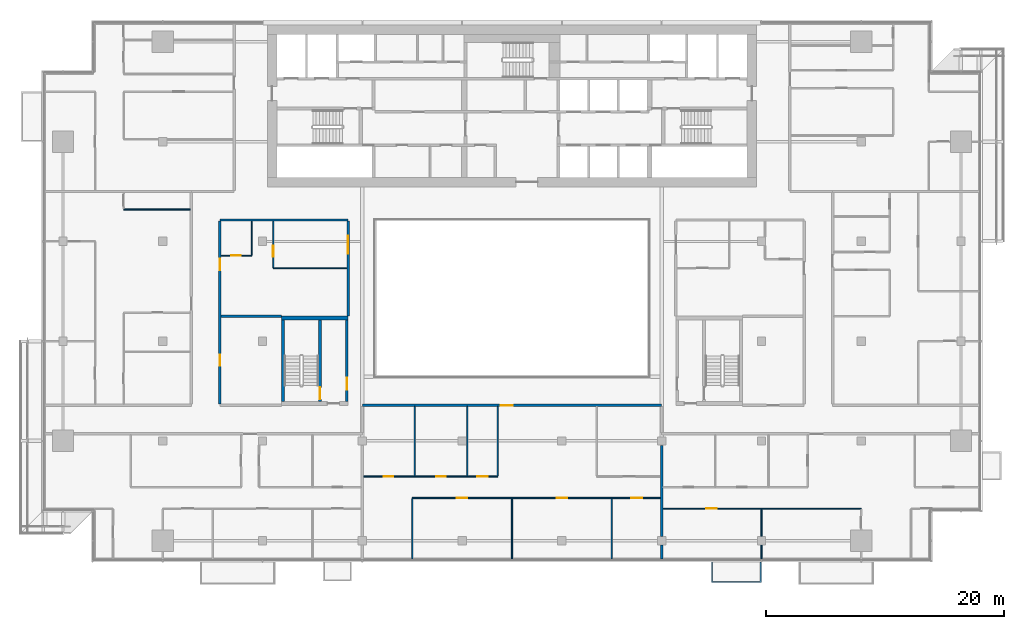
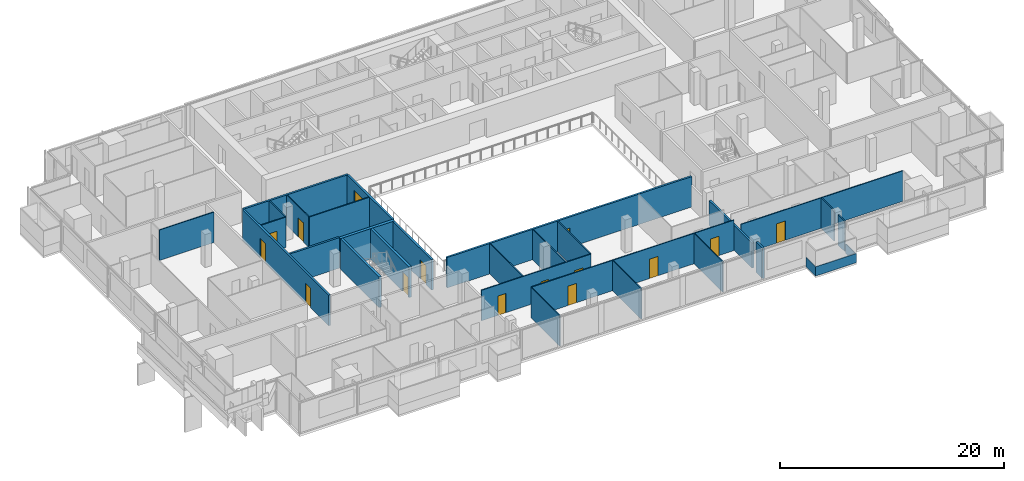
# One storey, part 19 of 30: 28 walls, 14 doors, 1 window, 15 openings.
"""IFC4 building model written with IfcOpenShell, lengths in metres."""

from ifc_helpers import new_model, si_unit, direction, frame, frame_2d, origin, place, context, subcontext, project, spatial, polyline, rectangle, outline, extrude, material, layer, layer_set, type_object, element, fill, save


model = new_model("IFC4")

# Units and contexts
model_context = context("Model", 3, precision=1e-05, world=origin(), true_north=direction((0.0, 1.0)))
body_context = subcontext(model_context, "Body", "Model", "MODEL_VIEW")
ifc_project = project(units=[si_unit("LENGTHUNIT", "METRE"), si_unit("AREAUNIT", "SQUARE_METRE"), si_unit("VOLUMEUNIT", "CUBIC_METRE"), si_unit("PLANEANGLEUNIT", "RADIAN"), si_unit("MASSUNIT", "GRAM", prefix="KILO")], contexts=[model_context])

# Site, building, storey
site_placement = place(None, origin())
site = spatial("IfcSite", under=ifc_project, at=site_placement, CompositionType="ELEMENT")
building_placement = place(site_placement, origin())
building = spatial("IfcBuilding", under=site, at=building_placement, Name="Saffron Gate Tower", CompositionType="ELEMENT")
storey_placement = place(building_placement, frame((0.0, 0.0, 165.449951171875)))
storey = spatial("IfcBuildingStorey", under=building, at=storey_placement, Name="L40", CompositionType="ELEMENT", Elevation=165.449951171875)

# Wall, opening, door
ifc_material_1 = material(Name="Gypsum board partition on steel studs", Category="steel")
ifc_layer_1 = layer(ifc_material_1, 0.199951171875)
ifc_layer_set_1 = layer_set([ifc_layer_1], Name="CW10 Core partition 200")
wall_type_1 = type_object("IfcWallType", Name="CW10 Core partition 200", PredefinedType="PARTITIONING", material=ifc_layer_set_1)
wall_1_placement = place(storey_placement, frame((73.699951171875, 43.5, 0.0), z_axis=(0.0, 0.0, 1.0), x_axis=(0.0, 1.0, 0.0)))
wall_1 = element("IfcWall", 1, at=wall_1_placement, inside=storey, type_object=wall_type_1, Name="Wall CW10-L40-D-4", PredefinedType="PARTITIONING", context=body_context, shape_type="SweptSolid", body=[
    extrude(rectangle(XDim=6.89990234375, YDim=0.199951171875, at=frame_2d((3.449951171875, 0.0))), origin(), (0.0, 0.0, 1.0), 3.320068359375),
])
opening_1_placement = place(wall_1_placement, frame((1.0, 0.0, 0.0)))
opening_1 = element("IfcOpeningElement", 2, at=opening_1_placement, cuts=wall_1, Name="Opening CR-19", PredefinedType="OPENING", context=body_context, shape_type="SweptSolid", body=[
    extrude(rectangle(XDim=1.0, YDim=2.10009765625, at=frame_2d((0.5, 1.050048828125))), frame((0.0, 0.10986328125, 0.0), z_axis=(0.0, -1.0, 0.0), x_axis=(1.0, 0.0, 0.0)), (0.0, 0.0, 1.0), 0.219970703125),
])
ifc_material_2 = material(Name="Steel fire door set", Category="steel")
door_type_1 = type_object("IfcDoorType", Name="CD4 Lobby door 1000x2100 EI 120", OperationType="NOTDEFINED", PredefinedType="DOOR", material=ifc_material_2)
door_1_placement = place(opening_1_placement, origin())
door_1 = element("IfcDoor", 3, at=door_1_placement, inside=storey, type_object=door_type_1, Name="DOOR CR-19", OperationType="SINGLE_SWING_RIGHT", OverallHeight=2.10009765625, OverallWidth=1.0, PredefinedType="DOOR", context=body_context, shape_type="SweptSolid", body=[
    extrude(rectangle(XDim=1.0, YDim=2.10009765625, at=frame_2d((0.5, 1.050048828125))), frame((0.0, 0.02490234375, 0.0), z_axis=(0.0, -1.0, 0.0), x_axis=(1.0, 0.0, 0.0)), (0.0, 0.0, 1.0), 0.050048828125),
])
fill(opening_1, door_1)

# Wall
ifc_material_3 = material(Name="Concrete C60", Category="concrete")
ifc_layer_2 = layer(ifc_material_3, 0.25)
ifc_layer_set_2 = layer_set([ifc_layer_2], Name="CW14 RC core wall 250 C60")
wall_type_2 = type_object("IfcWallType", Name="CW14 RC core wall 250 C60", PredefinedType="SOLIDWALL", material=ifc_layer_set_2)
wall_2_placement = place(storey_placement, frame((68.324951171875, 43.5, 0.0), z_axis=(0.0, 0.0, 1.0), x_axis=(0.0, 1.0, 0.0)))
element("IfcWall", 4, at=wall_2_placement, inside=storey, type_object=wall_type_2, Name="Wall CW14-L40-D-2", PredefinedType="SOLIDWALL", context=body_context, shape_type="SweptSolid", body=[
    extrude(rectangle(XDim=6.89990234375, YDim=0.25, at=frame_2d((3.449951171875, 0.0))), origin(), (0.0, 0.0, 1.0), 3.320068359375),
])

# Wall, opening, door
wall_3_placement = place(storey_placement, frame((71.425048828125, 43.5, 0.0), z_axis=(0.0, 0.0, 1.0), x_axis=(0.0, 1.0, 0.0)))
wall_3 = element("IfcWall", 5, at=wall_3_placement, inside=storey, type_object=wall_type_2, Name="Wall CW14-L40-D-3", PredefinedType="SOLIDWALL", context=body_context, shape_type="SweptSolid", body=[
    extrude(rectangle(XDim=6.89990234375, YDim=0.25, at=frame_2d((3.449951171875, 0.0))), origin(), (0.0, 0.0, 1.0), 3.320068359375),
])
opening_2_placement = place(wall_3_placement, frame((0.199951171875, 0.0, 0.0)))
opening_2 = element("IfcOpeningElement", 6, at=opening_2_placement, cuts=wall_3, Name="Opening CR-20", PredefinedType="OPENING", context=body_context, shape_type="SweptSolid", body=[
    extrude(rectangle(XDim=1.0, YDim=2.10009765625, at=frame_2d((0.5, 1.050048828125))), frame((0.0, 0.135009765625, 0.0), z_axis=(0.0, -1.0, 0.0), x_axis=(1.0, 0.0, 0.0)), (0.0, 0.0, 1.0), 0.27001953125),
])
door_type_2 = type_object("IfcDoorType", Name="CD5 Stair door 1000x2100 EI 120", OperationType="NOTDEFINED", PredefinedType="DOOR", material=ifc_material_2)
door_2_placement = place(opening_2_placement, origin())
door_2 = element("IfcDoor", 7, at=door_2_placement, inside=storey, type_object=door_type_2, Name="DOOR CR-20", OperationType="SINGLE_SWING_LEFT", OverallHeight=2.10009765625, OverallWidth=1.0, PredefinedType="DOOR", context=body_context, shape_type="SweptSolid", body=[
    extrude(rectangle(XDim=1.0, YDim=2.10009765625, at=frame_2d((0.5, 1.050048828125))), frame((0.0, 0.02490234375, 0.0), z_axis=(0.0, -1.0, 0.0), x_axis=(1.0, 0.0, 0.0)), (0.0, 0.0, 1.0), 0.050048828125),
])
fill(opening_2, door_2)

# Wall
ifc_layer_3 = layer(ifc_material_3, 0.300048828125)
ifc_layer_set_3 = layer_set([ifc_layer_3], Name="CW17 RC core wall 300 C60")
wall_type_3 = type_object("IfcWallType", Name="CW17 RC core wall 300 C60", PredefinedType="SOLIDWALL", material=ifc_layer_set_3)
wall_4_placement = place(storey_placement, frame((68.199951171875, 50.550048828125, 0.0), z_axis=(0.0, 0.0, 1.0), x_axis=(1.0, 0.0, 0.0)))
element("IfcWall", 8, at=wall_4_placement, inside=storey, type_object=wall_type_3, Name="Wall CW17-L40-D-5", PredefinedType="SOLIDWALL", context=body_context, shape_type="SweptSolid", body=[
    extrude(rectangle(XDim=5.60009765625, YDim=0.300048828125, at=frame_2d((2.800048828125, 0.0))), origin(), (0.0, 0.0, 1.0), 3.320068359375),
])

# Wall, opening, door
ifc_material_4 = material(Name="Plasterboard on steel studs", Category="steel")
ifc_layer_4 = layer(ifc_material_4, 0.10009765625)
ifc_layer_set_4 = layer_set([ifc_layer_4], Name="PW1 Partition 100")
wall_type_4 = type_object("IfcWallType", Name="PW1 Partition 100", PredefinedType="PARTITIONING", material=ifc_layer_set_4)
wall_5_placement = place(storey_placement, frame((117.0, 34.5, 0.0), z_axis=(0.0, 0.0, 1.0), x_axis=(-1.0, 0.0, 0.0)))
wall_5 = element("IfcWall", 9, at=wall_5_placement, inside=storey, type_object=wall_type_4, Name="Partition C2-3", PredefinedType="PARTITIONING", context=body_context, shape_type="SweptSolid", body=[
    extrude(rectangle(XDim=16.699951171875, YDim=0.10009765625, at=frame_2d((8.35009765625, 0.0))), origin(), (0.0, 0.0, 1.0), 3.320068359375),
])
opening_3_placement = place(wall_5_placement, frame((12.14990234375, 0.0, 0.0)))
opening_3 = element("IfcOpeningElement", 10, at=opening_3_placement, cuts=wall_5, Name="Opening C2-20", PredefinedType="OPENING", context=body_context, shape_type="SweptSolid", body=[
    extrude(rectangle(XDim=0.89990234375, YDim=2.10009765625, at=frame_2d((0.449951171875, 1.050048828125))), frame((0.0, 0.06005859375, 0.0), z_axis=(0.0, -1.0, 0.0), x_axis=(1.0, 0.0, 0.0)), (0.0, 0.0, 1.0), 0.1201171875),
])
ifc_material_5 = material(Name="Timber door set", Category="wood")
door_type_3 = type_object("IfcDoorType", Name="RD1 Room door 900x2100", OperationType="NOTDEFINED", PredefinedType="DOOR", material=ifc_material_5)
door_3_placement = place(opening_3_placement, origin())
door_3 = element("IfcDoor", 11, at=door_3_placement, inside=storey, type_object=door_type_3, Name="Door C2-20", OperationType="SINGLE_SWING_RIGHT", OverallHeight=2.10009765625, OverallWidth=0.89990234375, PredefinedType="DOOR", context=body_context, shape_type="SweptSolid", body=[
    extrude(rectangle(XDim=0.89990234375, YDim=2.10009765625, at=frame_2d((0.449951171875, 1.050048828125))), frame((0.0, 0.02490234375, 0.0), z_axis=(0.0, -1.0, 0.0), x_axis=(1.0, 0.0, 0.0)), (0.0, 0.0, 1.0), 0.050048828125),
])
fill(opening_3, door_3)

# Wall, openings, doors
wall_6_placement = place(storey_placement, frame((100.10009765625, 35.39990234375, 0.0), z_axis=(0.0, 0.0, 1.0), x_axis=(-1.0, 0.0, 0.0)))
wall_6 = element("IfcWall", 12, at=wall_6_placement, inside=storey, type_object=wall_type_4, Name="Partition C2-5", PredefinedType="PARTITIONING", context=body_context, shape_type="SweptSolid", body=[
    extrude(rectangle(XDim=20.900146484375, YDim=0.10009765625, at=frame_2d((10.4501953125, 0.0))), origin(), (0.0, 0.0, 1.0), 3.320068359375),
])
opening_4_placement = place(wall_6_placement, frame((1.550048828125, 0.0, 0.0)))
opening_4 = element("IfcOpeningElement", 13, at=opening_4_placement, cuts=wall_6, Name="Opening C2-17", PredefinedType="OPENING", context=body_context, shape_type="SweptSolid", body=[
    extrude(rectangle(XDim=0.89990234375, YDim=2.10009765625, at=frame_2d((0.449951171875, 1.050048828125))), frame((0.0, 0.06005859375, 0.0), z_axis=(0.0, -1.0, 0.0), x_axis=(1.0, 0.0, 0.0)), (0.0, 0.0, 1.0), 0.1201171875),
])
opening_5_placement = place(wall_6_placement, frame((7.85009765625, 0.0, 0.0)))
opening_5 = element("IfcOpeningElement", 14, at=opening_5_placement, cuts=wall_6, Name="Opening C2-16", PredefinedType="OPENING", context=body_context, shape_type="SweptSolid", body=[
    extrude(rectangle(XDim=0.89990234375, YDim=2.10009765625, at=frame_2d((0.449951171875, 1.050048828125))), frame((0.0, 0.06005859375, 0.0), z_axis=(0.0, -1.0, 0.0), x_axis=(1.0, 0.0, 0.0)), (0.0, 0.0, 1.0), 0.1201171875),
])
opening_6_placement = place(wall_6_placement, frame((16.25, 0.0, 0.0)))
opening_6 = element("IfcOpeningElement", 15, at=opening_6_placement, cuts=wall_6, Name="Opening C2-15", PredefinedType="OPENING", context=body_context, shape_type="SweptSolid", body=[
    extrude(rectangle(XDim=0.89990234375, YDim=2.10009765625, at=frame_2d((0.449951171875, 1.050048828125))), frame((0.0, 0.06005859375, 0.0), z_axis=(0.0, -1.0, 0.0), x_axis=(1.0, 0.0, 0.0)), (0.0, 0.0, 1.0), 0.1201171875),
])
door_4_placement = place(opening_4_placement, origin())
door_4 = element("IfcDoor", 16, at=door_4_placement, inside=storey, type_object=door_type_3, Name="Door C2-17", OperationType="SINGLE_SWING_LEFT", OverallHeight=2.10009765625, OverallWidth=0.89990234375, PredefinedType="DOOR", context=body_context, shape_type="SweptSolid", body=[
    extrude(rectangle(XDim=0.89990234375, YDim=2.10009765625, at=frame_2d((0.449951171875, 1.050048828125))), frame((0.0, 0.02490234375, 0.0), z_axis=(0.0, -1.0, 0.0), x_axis=(1.0, 0.0, 0.0)), (0.0, 0.0, 1.0), 0.050048828125),
])
fill(opening_4, door_4)
door_5_placement = place(opening_5_placement, origin())
door_5 = element("IfcDoor", 17, at=door_5_placement, inside=storey, type_object=door_type_3, Name="Door C2-16", OperationType="SINGLE_SWING_RIGHT", OverallHeight=2.10009765625, OverallWidth=0.89990234375, PredefinedType="DOOR", context=body_context, shape_type="SweptSolid", body=[
    extrude(rectangle(XDim=0.89990234375, YDim=2.10009765625, at=frame_2d((0.449951171875, 1.050048828125))), frame((0.0, 0.02490234375, 0.0), z_axis=(0.0, -1.0, 0.0), x_axis=(1.0, 0.0, 0.0)), (0.0, 0.0, 1.0), 0.050048828125),
])
fill(opening_5, door_5)
door_6_placement = place(opening_6_placement, origin())
door_6 = element("IfcDoor", 18, at=door_6_placement, inside=storey, type_object=door_type_3, Name="Door C2-15", OperationType="SINGLE_SWING_LEFT", OverallHeight=2.10009765625, OverallWidth=0.89990234375, PredefinedType="DOOR", context=body_context, shape_type="SweptSolid", body=[
    extrude(rectangle(XDim=0.89990234375, YDim=2.10009765625, at=frame_2d((0.449951171875, 1.050048828125))), frame((0.0, 0.02490234375, 0.0), z_axis=(0.0, -1.0, 0.0), x_axis=(1.0, 0.0, 0.0)), (0.0, 0.0, 1.0), 0.050048828125),
])
fill(opening_6, door_6)

wall_7_placement = place(storey_placement, frame((75.10009765625, 37.199951171875, 0.0), z_axis=(0.0, 0.0, 1.0), x_axis=(1.0, 0.0, 0.0)))
wall_7 = element("IfcWall", 19, at=wall_7_placement, inside=storey, type_object=wall_type_4, Name="Partition C2-10", PredefinedType="PARTITIONING", context=body_context, shape_type="SweptSolid", body=[
    extrude(rectangle(XDim=11.2998046875, YDim=0.10009765625, at=frame_2d((5.64990234375, 0.0))), origin(), (0.0, 0.0, 1.0), 3.320068359375),
])
opening_7_placement = place(wall_7_placement, frame((1.708251953125, 0.0, 0.0)))
opening_7 = element("IfcOpeningElement", 20, at=opening_7_placement, cuts=wall_7, Name="Opening C2-41", PredefinedType="OPENING", context=body_context, shape_type="SweptSolid", body=[
    extrude(rectangle(XDim=0.800048828125, YDim=2.10009765625, at=frame_2d((0.39990234375, 1.050048828125))), frame((0.0, 0.06005859375, 0.0), z_axis=(0.0, -1.0, 0.0), x_axis=(1.0, 0.0, 0.0)), (0.0, 0.0, 1.0), 0.1201171875),
])
opening_8_placement = place(wall_7_placement, frame((6.125, 0.0, 0.0)))
opening_8 = element("IfcOpeningElement", 21, at=opening_8_placement, cuts=wall_7, Name="Opening C2-42", PredefinedType="OPENING", context=body_context, shape_type="SweptSolid", body=[
    extrude(rectangle(XDim=0.800048828125, YDim=2.10009765625, at=frame_2d((0.39990234375, 1.050048828125))), frame((0.0, 0.06005859375, 0.0), z_axis=(0.0, -1.0, 0.0), x_axis=(1.0, 0.0, 0.0)), (0.0, 0.0, 1.0), 0.1201171875),
])
opening_9_placement = place(wall_7_placement, frame((9.566650390625, 0.0, 0.0)))
opening_9 = element("IfcOpeningElement", 22, at=opening_9_placement, cuts=wall_7, Name="Opening C2-19", PredefinedType="OPENING", context=body_context, shape_type="SweptSolid", body=[
    extrude(rectangle(XDim=0.89990234375, YDim=2.10009765625, at=frame_2d((0.449951171875, 1.050048828125))), frame((0.0, 0.06005859375, 0.0), z_axis=(0.0, -1.0, 0.0), x_axis=(1.0, 0.0, 0.0)), (0.0, 0.0, 1.0), 0.1201171875),
])
door_7_placement = place(opening_9_placement, origin())
door_7 = element("IfcDoor", 23, at=door_7_placement, inside=storey, type_object=door_type_3, Name="Door C2-19", OperationType="SINGLE_SWING_LEFT", OverallHeight=2.10009765625, OverallWidth=0.89990234375, PredefinedType="DOOR", context=body_context, shape_type="SweptSolid", body=[
    extrude(rectangle(XDim=0.89990234375, YDim=2.10009765625, at=frame_2d((0.449951171875, 1.050048828125))), frame((0.0, 0.02490234375, 0.0), z_axis=(0.0, -1.0, 0.0), x_axis=(1.0, 0.0, 0.0)), (0.0, 0.0, 1.0), 0.050048828125),
])
fill(opening_9, door_7)
door_type_4 = type_object("IfcDoorType", Name="RD2 Bathroom door 800x2100", OperationType="NOTDEFINED", PredefinedType="DOOR", material=ifc_material_5)
door_8_placement = place(opening_7_placement, origin())
door_8 = element("IfcDoor", 24, at=door_8_placement, inside=storey, type_object=door_type_4, Name="Door C2-41", OperationType="SINGLE_SWING_LEFT", OverallHeight=2.10009765625, OverallWidth=0.800048828125, PredefinedType="DOOR", context=body_context, shape_type="SweptSolid", body=[
    extrude(rectangle(XDim=0.800048828125, YDim=2.10009765625, at=frame_2d((0.39990234375, 1.050048828125))), frame((0.0, 0.02490234375, 0.0), z_axis=(0.0, -1.0, 0.0), x_axis=(1.0, 0.0, 0.0)), (0.0, 0.0, 1.0), 0.050048828125),
])
fill(opening_7, door_8)
door_9_placement = place(opening_8_placement, origin())
door_9 = element("IfcDoor", 25, at=door_9_placement, inside=storey, type_object=door_type_4, Name="Door C2-42", OperationType="SINGLE_SWING_LEFT", OverallHeight=2.10009765625, OverallWidth=0.800048828125, PredefinedType="DOOR", context=body_context, shape_type="SweptSolid", body=[
    extrude(rectangle(XDim=0.800048828125, YDim=2.10009765625, at=frame_2d((0.39990234375, 1.050048828125))), frame((0.0, 0.02490234375, 0.0), z_axis=(0.0, -1.0, 0.0), x_axis=(1.0, 0.0, 0.0)), (0.0, 0.0, 1.0), 0.050048828125),
])
fill(opening_8, door_9)

# Wall
wall_8_placement = place(storey_placement, frame((67.5, 54.75, 0.0), z_axis=(0.0, 0.0, 1.0), x_axis=(1.0, 0.0, 0.0)))
element("IfcWall", 26, at=wall_8_placement, inside=storey, type_object=wall_type_4, Name="Partition C2-32", PredefinedType="PARTITIONING", context=body_context, shape_type="SweptSolid", body=[
    extrude(rectangle(XDim=6.199951171875, YDim=0.10009765625, at=frame_2d((3.10009765625, 0.0))), origin(), (0.0, 0.0, 1.0), 3.320068359375),
])

# Wall, opening, door
wall_9_placement = place(storey_placement, frame((63.10009765625, 55.800048828125, 0.0), z_axis=(0.0, 0.0, 1.0), x_axis=(1.0, 0.0, 0.0)))
wall_9 = element("IfcWall", 27, at=wall_9_placement, inside=storey, type_object=wall_type_4, Name="Partition C2-35", PredefinedType="PARTITIONING", context=body_context, shape_type="SweptSolid", body=[
    extrude(rectangle(XDim=2.599853515625, YDim=0.10009765625, at=frame_2d((1.2998046875, 0.0))), origin(), (0.0, 0.0, 1.0), 3.320068359375),
])
opening_10_placement = place(wall_9_placement, frame((0.85009765625, 0.0, 0.0)))
opening_10 = element("IfcOpeningElement", 28, at=opening_10_placement, cuts=wall_9, Name="Opening C2-52", PredefinedType="OPENING", context=body_context, shape_type="SweptSolid", body=[
    extrude(rectangle(XDim=0.800048828125, YDim=2.10009765625, at=frame_2d((0.39990234375, 1.050048828125))), frame((0.0, 0.06005859375, 0.0), z_axis=(0.0, -1.0, 0.0), x_axis=(1.0, 0.0, 0.0)), (0.0, 0.0, 1.0), 0.1201171875),
])
door_10_placement = place(opening_10_placement, origin())
door_10 = element("IfcDoor", 29, at=door_10_placement, inside=storey, type_object=door_type_4, Name="Door C2-52", OperationType="SINGLE_SWING_LEFT", OverallHeight=2.10009765625, OverallWidth=0.800048828125, PredefinedType="DOOR", context=body_context, shape_type="SweptSolid", body=[
    extrude(rectangle(XDim=0.800048828125, YDim=2.10009765625, at=frame_2d((0.39990234375, 1.050048828125))), frame((0.0, 0.02490234375, 0.0), z_axis=(0.0, -1.0, 0.0), x_axis=(1.0, 0.0, 0.0)), (0.0, 0.0, 1.0), 0.050048828125),
])
fill(opening_10, door_10)

# Walls
wall_10_placement = place(storey_placement, frame((54.89990234375, 59.693115234375, 0.0), z_axis=(0.0, 0.0, 1.0), x_axis=(1.0, 0.0, 0.0)))
element("IfcWall", 30, at=wall_10_placement, inside=storey, type_object=wall_type_4, Name="Partition C2-42", PredefinedType="PARTITIONING", context=body_context, shape_type="SweptSolid", body=[
    extrude(rectangle(XDim=5.60009765625, YDim=0.10009765625, at=frame_2d((2.800048828125, 0.0))), origin(), (0.0, 0.0, 1.0), 3.320068359375),
])
wall_11_placement = place(storey_placement, frame((65.699951171875, 58.699951171875, 0.0), z_axis=(0.0, 0.0, 1.0), x_axis=(0.0, -1.0, 0.0)))
element("IfcWall", 31, at=wall_11_placement, inside=storey, type_object=wall_type_4, Name="Partition C2-77", PredefinedType="PARTITIONING", context=body_context, shape_type="SweptSolid", body=[
    extrude(rectangle(XDim=2.849853515625, YDim=0.10009765625, at=frame_2d((1.4248046875, 0.0))), origin(), (0.0, 0.0, 1.0), 3.320068359375),
])

# Wall, opening, door
wall_12_placement = place(storey_placement, frame((67.5, 58.699951171875, 0.0), z_axis=(0.0, 0.0, 1.0), x_axis=(0.0, -1.0, 0.0)))
wall_12 = element("IfcWall", 32, at=wall_12_placement, inside=storey, type_object=wall_type_4, Name="Partition C2-79", PredefinedType="PARTITIONING", context=body_context, shape_type="SweptSolid", body=[
    extrude(rectangle(XDim=3.89990234375, YDim=0.10009765625, at=frame_2d((1.949951171875, 0.0))), origin(), (0.0, 0.0, 1.0), 3.320068359375),
])
opening_11_placement = place(wall_12_placement, frame((2.074951171875, 0.0, 0.0)))
opening_11 = element("IfcOpeningElement", 33, at=opening_11_placement, cuts=wall_12, Name="Opening C2-37", PredefinedType="OPENING", context=body_context, shape_type="SweptSolid", body=[
    extrude(rectangle(XDim=0.89990234375, YDim=2.10009765625, at=frame_2d((0.449951171875, 1.050048828125))), frame((0.0, 0.06005859375, 0.0), z_axis=(0.0, -1.0, 0.0), x_axis=(1.0, 0.0, 0.0)), (0.0, 0.0, 1.0), 0.1201171875),
])
door_11_placement = place(opening_11_placement, origin())
door_11 = element("IfcDoor", 34, at=door_11_placement, inside=storey, type_object=door_type_3, Name="Door C2-37", OperationType="SINGLE_SWING_RIGHT", OverallHeight=2.10009765625, OverallWidth=0.89990234375, PredefinedType="DOOR", context=body_context, shape_type="SweptSolid", body=[
    extrude(rectangle(XDim=0.89990234375, YDim=2.10009765625, at=frame_2d((0.449951171875, 1.050048828125))), frame((0.0, 0.02490234375, 0.0), z_axis=(0.0, -1.0, 0.0), x_axis=(1.0, 0.0, 0.0)), (0.0, 0.0, 1.0), 0.050048828125),
])
fill(opening_11, door_11)

# Walls
wall_13_placement = place(storey_placement, frame((79.199951171875, 35.35009765625, 0.0), z_axis=(0.0, 0.0, 1.0), x_axis=(0.0, -1.0, 0.0)))
element("IfcWall", 35, at=wall_13_placement, inside=storey, type_object=wall_type_4, Name="Partition C2-86", PredefinedType="PARTITIONING", context=body_context, shape_type="SweptSolid", body=[
    extrude(rectangle(XDim=5.070068359375, YDim=0.10009765625, at=frame_2d((2.53515625, 0.0))), origin(), (0.0, 0.0, 1.0), 3.320068359375),
])
for number, where, z_axis, x_axis, name in (
    (36, (79.416748046875, 43.10009765625, 0.0), (0.0, 0.0, 1.0), (0.0, -1.0, 0.0), "Partition C2-87"),
    (37, (83.833251953125, 43.10009765625, 0.0), (0.0, 0.0, 1.0), (0.0, -1.0, 0.0), "Partition C2-88"),
    (38, (86.39990234375, 43.10009765625, 0.0), (0.0, 0.0, 1.0), (0.0, -1.0, 0.0), "Partition C2-89"),
):
    element("IfcWall", number, at=place(storey_placement, frame(where, z_axis=z_axis, x_axis=x_axis)), inside=storey, type_object=wall_type_4, Name=name, PredefinedType="PARTITIONING", context=body_context, shape_type="SweptSolid", body=[
        extrude(rectangle(XDim=5.85009765625, YDim=0.10009765625, at=frame_2d((2.925048828125, 0.0))), origin(), (0.0, 0.0, 1.0), 3.320068359375),
    ])
for number, where, z_axis, x_axis, name in (
    (39, (87.60009765625, 35.35009765625, 0.0), (0.0, 0.0, 1.0), (0.0, -1.0, 0.0), "Partition C2-90"),
    (40, (96.0, 35.35009765625, 0.0), (0.0, 0.0, 1.0), (0.0, -1.0, 0.0), "Partition C2-92"),
):
    element("IfcWall", number, at=place(storey_placement, frame(where, z_axis=z_axis, x_axis=x_axis)), inside=storey, type_object=wall_type_4, Name=name, PredefinedType="PARTITIONING", context=body_context, shape_type="SweptSolid", body=[
        extrude(rectangle(XDim=5.070068359375, YDim=0.10009765625, at=frame_2d((2.53515625, 0.0))), origin(), (0.0, 0.0, 1.0), 3.320068359375),
    ])
wall_14_placement = place(storey_placement, frame((108.60009765625, 31.429931640625, 0.0), z_axis=(0.0, 0.0, 1.0), x_axis=(0.0, -1.0, 0.0)))
element("IfcWall", 41, at=wall_14_placement, inside=storey, type_object=wall_type_4, Name="Partition C2-99", PredefinedType="PARTITIONING", context=body_context, shape_type="SweptSolid", body=[
    extrude(rectangle(XDim=1.14990234375, YDim=0.10009765625, at=frame_2d((0.574951171875, 0.0))), origin(), (0.0, 0.0, 1.0), 3.320068359375),
])
wall_15_placement = place(storey_placement, frame((108.60009765625, 34.449951171875, 0.0), z_axis=(0.0, 0.0, 1.0), x_axis=(0.0, -1.0, 0.0)))
element("IfcWall", 42, at=wall_15_placement, inside=storey, type_object=wall_type_4, Name="Partition C2-100", PredefinedType="PARTITIONING", context=body_context, shape_type="SweptSolid", body=[
    extrude(rectangle(XDim=2.280029296875, YDim=0.10009765625, at=frame_2d((1.14013671875, 0.0))), origin(), (0.0, 0.0, 1.0), 3.320068359375),
])
ifc_material_6 = material(Name="Clay brick masonry, rendered", Category="masonry")
ifc_layer_5 = layer(ifc_material_6, 0.199951171875)
ifc_layer_set_5 = layer_set([ifc_layer_5], Name="PW2 Demising wall 200")
wall_type_5 = type_object("IfcWallType", Name="PW2 Demising wall 200", PredefinedType="PARTITIONING", material=ifc_layer_set_5)
wall_16_placement = place(storey_placement, frame((63.10009765625, 50.699951171875, 0.0), z_axis=(0.0, 0.0, 1.0), x_axis=(1.0, 0.0, 0.0)))
element("IfcWall", 43, at=wall_16_placement, inside=storey, type_object=wall_type_5, Name="Wall C2-26", PredefinedType="PARTITIONING", context=body_context, shape_type="SweptSolid", body=[
    extrude(rectangle(XDim=5.099853515625, YDim=0.199951171875, at=frame_2d((2.5498046875, 0.0))), origin(), (0.0, 0.0, 1.0), 3.320068359375),
])
wall_17_placement = place(storey_placement, frame((100.199951171875, 31.429931640625, 0.0), z_axis=(0.0, 0.0, 1.0), x_axis=(0.0, -1.0, 0.0)))
element("IfcWall", 44, at=wall_17_placement, inside=storey, type_object=wall_type_5, Name="Wall C2-94", PredefinedType="PARTITIONING", context=body_context, shape_type="SweptSolid", body=[
    extrude(rectangle(XDim=1.14990234375, YDim=0.199951171875, at=frame_2d((0.574951171875, 0.0))), origin(), (0.0, 0.0, 1.0), 3.320068359375),
])
wall_18_placement = place(storey_placement, frame((100.199951171875, 39.830078125, 0.0), z_axis=(0.0, 0.0, 1.0), x_axis=(0.0, -1.0, 0.0)))
element("IfcWall", 45, at=wall_18_placement, inside=storey, type_object=wall_type_5, Name="Wall C2-95", PredefinedType="PARTITIONING", context=body_context, shape_type="SweptSolid", body=[
    extrude(rectangle(XDim=7.66015625, YDim=0.199951171875, at=frame_2d((3.830078125, 0.0))), origin(), (0.0, 0.0, 1.0), 2.719970703125),
])

# Wall, opening, door
ifc_layer_6 = layer(ifc_material_6, 0.199951171875)
ifc_layer_set_6 = layer_set([ifc_layer_6], Name="PW3 Corridor wall 200")
wall_type_6 = type_object("IfcWallType", Name="PW3 Corridor wall 200", PredefinedType="PARTITIONING", material=ifc_layer_set_6)
wall_19_placement = place(storey_placement, frame((100.199951171875, 43.199951171875, 0.0), z_axis=(0.0, 0.0, 1.0), x_axis=(-1.0, 0.0, 0.0)))
wall_19 = element("IfcWall", 46, at=wall_19_placement, inside=storey, type_object=wall_type_6, Name="Wall C2-18", PredefinedType="PARTITIONING", context=body_context, shape_type="SweptSolid", body=[
    extrude(rectangle(XDim=25.199951171875, YDim=0.199951171875, at=frame_2d((12.60009765625, 0.0))), origin(), (0.0, 0.0, 1.0), 3.320068359375),
])
opening_12_placement = place(wall_19_placement, frame((12.550048828125, 0.0, 0.0)))
opening_12 = element("IfcOpeningElement", 47, at=opening_12_placement, cuts=wall_19, Name="Opening C2-2", PredefinedType="OPENING", context=body_context, shape_type="SweptSolid", body=[
    extrude(rectangle(XDim=1.0, YDim=2.10009765625, at=frame_2d((0.5, 1.050048828125))), frame((0.0, 0.10986328125, 0.0), z_axis=(0.0, -1.0, 0.0), x_axis=(1.0, 0.0, 0.0)), (0.0, 0.0, 1.0), 0.219970703125),
])
ifc_material_7 = material(Name="Timber fire door set", Category="wood")
door_type_5 = type_object("IfcDoorType", Name="FD1 Flat entry door 1000x2100", OperationType="NOTDEFINED", PredefinedType="DOOR", material=ifc_material_7)
door_12_placement = place(opening_12_placement, origin())
door_12 = element("IfcDoor", 48, at=door_12_placement, inside=storey, type_object=door_type_5, Name="Door C2-2", OperationType="SINGLE_SWING_RIGHT", OverallHeight=2.10009765625, OverallWidth=1.0, PredefinedType="DOOR", context=body_context, shape_type="SweptSolid", body=[
    extrude(rectangle(XDim=1.0, YDim=2.10009765625, at=frame_2d((0.5, 1.050048828125))), frame((0.0, 0.02490234375, 0.0), z_axis=(0.0, -1.0, 0.0), x_axis=(1.0, 0.0, 0.0)), (0.0, 0.0, 1.0), 0.050048828125),
])
fill(opening_12, door_12)

# Wall
wall_20_placement = place(storey_placement, frame((63.0, 58.800048828125, 0.0), z_axis=(0.0, 0.0, 1.0), x_axis=(1.0, 0.0, 0.0)))
element("IfcWall", 49, at=wall_20_placement, inside=storey, type_object=wall_type_6, Name="Wall C2-39", PredefinedType="PARTITIONING", context=body_context, shape_type="SweptSolid", body=[
    extrude(rectangle(XDim=10.800048828125, YDim=0.199951171875, at=frame_2d((5.39990234375, 0.0))), origin(), (0.0, 0.0, 1.0), 3.320068359375),
])

# Wall, openings, doors
wall_21_placement = place(storey_placement, frame((63.0, 58.699951171875, 0.0), z_axis=(0.0, 0.0, 1.0), x_axis=(0.0, -1.0, 0.0)))
wall_21 = element("IfcWall", 50, at=wall_21_placement, inside=storey, type_object=wall_type_6, Name="Wall C2-74", PredefinedType="PARTITIONING", context=body_context, shape_type="SweptSolid", body=[
    extrude(rectangle(XDim=15.39990234375, YDim=0.199951171875, at=frame_2d((7.699951171875, 0.0))), origin(), (0.0, 0.0, 1.0), 3.320068359375),
])
opening_13_placement = place(wall_21_placement, frame((3.14990234375, 0.0, 0.0)))
opening_13 = element("IfcOpeningElement", 51, at=opening_13_placement, cuts=wall_21, Name="Opening C2-8", PredefinedType="OPENING", context=body_context, shape_type="SweptSolid", body=[
    extrude(rectangle(XDim=1.0, YDim=2.10009765625, at=frame_2d((0.5, 1.050048828125))), frame((0.0, 0.10986328125, 0.0), z_axis=(0.0, -1.0, 0.0), x_axis=(1.0, 0.0, 0.0)), (0.0, 0.0, 1.0), 0.219970703125),
])
opening_14_placement = place(wall_21_placement, frame((11.25, 0.0, 0.0)))
opening_14 = element("IfcOpeningElement", 52, at=opening_14_placement, cuts=wall_21, Name="Opening C2-55", PredefinedType="OPENING", context=body_context, shape_type="SweptSolid", body=[
    extrude(rectangle(XDim=0.89990234375, YDim=2.10009765625, at=frame_2d((0.449951171875, 1.050048828125))), frame((0.0, 0.10986328125, 0.0), z_axis=(0.0, -1.0, 0.0), x_axis=(1.0, 0.0, 0.0)), (0.0, 0.0, 1.0), 0.219970703125),
])
door_13_placement = place(opening_13_placement, origin())
door_13 = element("IfcDoor", 53, at=door_13_placement, inside=storey, type_object=door_type_5, Name="Door C2-8", OperationType="SINGLE_SWING_LEFT", OverallHeight=2.10009765625, OverallWidth=1.0, PredefinedType="DOOR", context=body_context, shape_type="SweptSolid", body=[
    extrude(rectangle(XDim=1.0, YDim=2.10009765625, at=frame_2d((0.5, 1.050048828125))), frame((0.0, 0.02490234375, 0.0), z_axis=(0.0, -1.0, 0.0), x_axis=(1.0, 0.0, 0.0)), (0.0, 0.0, 1.0), 0.050048828125),
])
fill(opening_13, door_13)
door_type_6 = type_object("IfcDoorType", Name="SD1 Service door 900x2100", OperationType="NOTDEFINED", PredefinedType="DOOR", material=ifc_material_2)
door_14_placement = place(opening_14_placement, origin())
door_14 = element("IfcDoor", 54, at=door_14_placement, inside=storey, type_object=door_type_6, Name="Door C2-55", OperationType="SINGLE_SWING_RIGHT", OverallHeight=2.10009765625, OverallWidth=0.89990234375, PredefinedType="DOOR", context=body_context, shape_type="SweptSolid", body=[
    extrude(rectangle(XDim=0.89990234375, YDim=2.10009765625, at=frame_2d((0.449951171875, 1.050048828125))), frame((0.0, 0.02490234375, 0.0), z_axis=(0.0, -1.0, 0.0), x_axis=(1.0, 0.0, 0.0)), (0.0, 0.0, 1.0), 0.050048828125),
])
fill(opening_14, door_14)

# Wall, opening, window
wall_22_placement = place(storey_placement, frame((73.800048828125, 58.699951171875, 0.0), z_axis=(0.0, 0.0, 1.0), x_axis=(0.0, -1.0, 0.0)))
wall_22 = element("IfcWall", 55, at=wall_22_placement, inside=storey, type_object=wall_type_6, Name="Wall C2-82", PredefinedType="PARTITIONING", context=body_context, shape_type="SweptSolid", body=[
    extrude(rectangle(XDim=8.0, YDim=0.199951171875, at=frame_2d((4.0, 0.0))), origin(), (0.0, 0.0, 1.0), 3.320068359375),
])
opening_15_placement = place(wall_22_placement, frame((1.22509765625, 0.0, 0.89990234375)))
opening_15 = element("IfcOpeningElement", 56, at=opening_15_placement, cuts=wall_22, Name="Opening GW1", PredefinedType="OPENING", context=body_context, shape_type="SweptSolid", body=[
    extrude(rectangle(XDim=1.5, YDim=1.5, at=frame_2d((0.75, 0.75))), frame((0.0, 0.10986328125, 0.0), z_axis=(0.0, -1.0, 0.0), x_axis=(1.0, 0.0, 0.0)), (0.0, 0.0, 1.0), 0.219970703125),
])
ifc_material_8 = material(Name="Fire-resisting laminated glass in steel frame", Category="steel")
ifc_layer_7 = layer(ifc_material_8, 0.06005859375)
ifc_layer_set_7 = layer_set([ifc_layer_7], Name="GW1 Gallery window 1500x1500")
window_type = type_object("IfcWindowType", Name="GW1 Gallery window 1500x1500", PartitioningType="SINGLE_PANEL", PredefinedType="WINDOW", material=ifc_layer_set_7)
window_placement = place(opening_15_placement, origin())
window = element("IfcWindow", 57, at=window_placement, inside=storey, type_object=window_type, Name="GW1 window C2-H-B1", OverallHeight=1.5, OverallWidth=1.5, PartitioningType="SINGLE_PANEL", PredefinedType="WINDOW", context=body_context, shape_type="SweptSolid", body=[
    extrude(rectangle(XDim=1.5, YDim=1.5, at=frame_2d((0.75, 0.75))), frame((0.0, 0.030029296875, 0.0), z_axis=(0.0, -1.0, 0.0), x_axis=(1.0, 0.0, 0.0)), (0.0, 0.0, 1.0), 0.06005859375),
])
fill(opening_15, window)

# Wall
ifc_material_9 = material(Name="Rendered insulated panel, white")
ifc_layer_8 = layer(ifc_material_9, 0.10009765625)
ifc_layer_set_8 = layer_set([ifc_layer_8], Name="WB3 box parapet white")
wall_type_7 = type_object("IfcWallType", Name="WB3 box parapet white", PredefinedType="SOLIDWALL", material=ifc_layer_set_8)
wall_23_placement = place(storey_placement, origin())
element("IfcWall", 58, at=wall_23_placement, inside=storey, type_object=wall_type_7, Name="WINDOW BOX parapet", PredefinedType="SOLIDWALL", context=body_context, shape_type="SweptSolid", body=[
    extrude(outline(polyline([(104.39990234375, 30.0), (104.5, 30.0), (104.5, 28.366943359375), (108.5, 28.366943359375), (108.5, 30.0), (108.60009765625, 30.0), (108.60009765625, 28.26708984375), (104.39990234375, 28.26708984375), (104.39990234375, 30.0)])), origin(), (0.0, 0.0, 1.0), 1.0),
])

save(model, "model.ifc")
